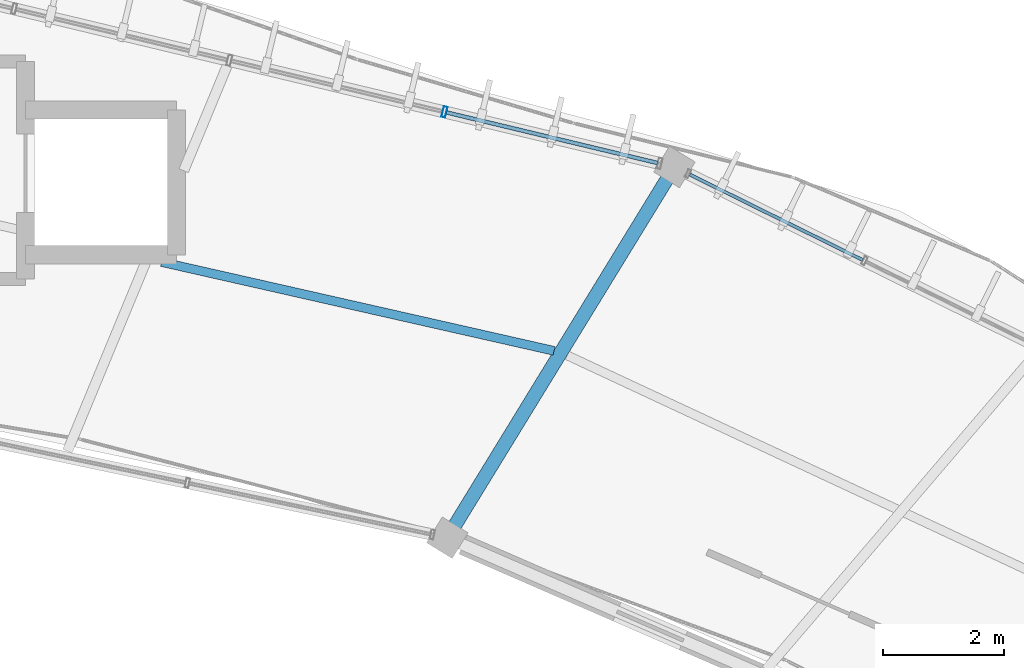
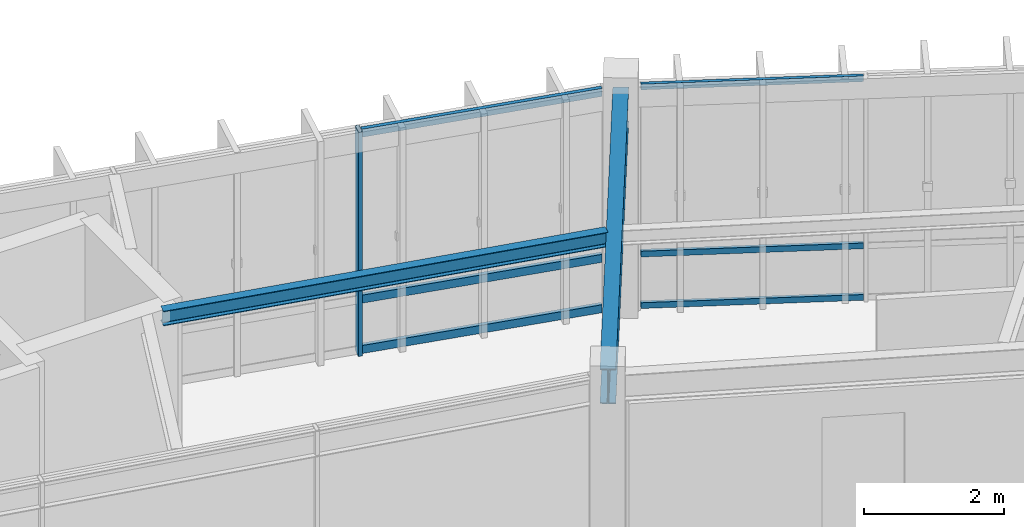
# One storey, part 58 of 78: 7 members, 2 beams, 2 elements without a shape of their own.
"""IFC4 building model written with IfcOpenShell, lengths in metres."""

from ifc_helpers import new_model, si_unit, direction, frame, origin, origin_2d, place, context, subcontext, project, spatial, hollow_rectangle, i_section, extrude, material, material_profile, profile_set, type_object, element, aggregate, save


model = new_model("IFC4")

# Units and contexts
model_context = context("Model", 3, precision=1e-05, world=origin(), true_north=direction((0.0, 1.0)))
body_context = subcontext(model_context, "Body", "Model", "MODEL_VIEW")
ifc_project = project(units=[si_unit("LENGTHUNIT", "METRE"), si_unit("AREAUNIT", "SQUARE_METRE"), si_unit("VOLUMEUNIT", "CUBIC_METRE"), si_unit("PLANEANGLEUNIT", "RADIAN"), si_unit("MASSUNIT", "GRAM", prefix="KILO"), si_unit("THERMODYNAMICTEMPERATUREUNIT", "KELVIN"), si_unit("POWERUNIT", "WATT")], contexts=[model_context])

# Site, building, storey
site_placement = place(None, origin())
site = spatial("IfcSite", under=ifc_project, at=site_placement, CompositionType="ELEMENT")
building_placement = place(site_placement, origin())
building = spatial("IfcBuilding", under=site, at=building_placement, Name="Darbajah Civic Hall", CompositionType="ELEMENT")
storey_placement = place(building_placement, frame((0.0, 0.0, 26.39990234375)))
storey = spatial("IfcBuildingStorey", under=building, at=storey_placement, Name="L06", CompositionType="ELEMENT", Elevation=26.39990234375)

# Curtain wall, member
ifc_material_1 = material(Name="Anodised Bronze Aluminium and Low-E Glazing", Category="aluminium")
curtain_wall_type_1 = type_object("IfcCurtainWallType", Name="Unitised Curtain Wall CW-87 14700x3900", PredefinedType="USERDEFINED", material=ifc_material_1)
curtain_wall_1_placement = place(storey_placement, origin())
curtain_wall_1 = element("IfcCurtainWall", 1, at=curtain_wall_1_placement, inside=storey, type_object=curtain_wall_type_1, Name="L06 unitised curtain wall CW-V1O-L06-03", ObjectType="UNITISED CURTAIN WALL", PredefinedType="USERDEFINED")
ifc_material_2 = material(Name="Anodised Bronze Aluminium", Category="aluminium")
ifc_material_profile_1 = material_profile(ifc_material_2, hollow_rectangle(XDim=0.06494140625, YDim=0.179931640625, WallThickness=0.00390625, at=origin_2d()), Name="ALU MULLION 65x180")
ifc_profile_set_1 = profile_set([ifc_material_profile_1], Name="Anodised Bronze Aluminium")
member_type_1 = type_object("IfcMemberType", Name="ALU MULLION 65x180", PredefinedType="MULLION", material=ifc_profile_set_1)
member_1_placement = place(storey_placement, frame((111.939453125, 115.865234375, 0.0), z_axis=(0.0, 0.0, 1.0), x_axis=(-0.972492018808, 0.232936200179, 0.0)))
member_1 = element("IfcMember", 2, at=member_1_placement, type_object=member_type_1, Name="CW-V1O-L06-03 mullion 2", PredefinedType="MULLION", context=body_context, shape_type="SweptSolid", body=[
    extrude(hollow_rectangle(XDim=0.06494140625, YDim=0.179931640625, WallThickness=0.00390625, at=origin_2d()), origin(), (0.0, 0.0, 1.0), 3.920166015625),
])

# Curtain wall, members
curtain_wall_type_2 = type_object("IfcCurtainWallType", Name="Unitised Curtain Wall CW-79 13000x3900", PredefinedType="USERDEFINED", material=ifc_material_1)
curtain_wall_2_placement = place(storey_placement, origin())
curtain_wall_2 = element("IfcCurtainWall", 3, at=curtain_wall_2_placement, inside=storey, type_object=curtain_wall_type_2, Name="L06 unitised curtain wall CW-V1O-L06-02", ObjectType="UNITISED CURTAIN WALL", PredefinedType="USERDEFINED")
ifc_material_profile_2 = material_profile(ifc_material_2, hollow_rectangle(XDim=0.054931640625, YDim=0.10009765625, WallThickness=0.0029296875, at=origin_2d()), Name="ALU TRANSOM 55x100")
ifc_profile_set_2 = profile_set([ifc_material_profile_2], Name="Anodised Bronze Aluminium")
member_type_2 = type_object("IfcMemberType", Name="ALU TRANSOM 55x100", PredefinedType="USERDEFINED", material=ifc_profile_set_2)
member_2_placement = place(storey_placement, frame((118.864501953125, 113.412841796875, 0.050048828125), z_axis=(-0.896543151923, 0.442956405011, 0.0), x_axis=(-0.442956405011, -0.896543151923, 0.0)))
member_2 = element("IfcMember", 4, at=member_2_placement, type_object=member_type_2, Name="CW-V1O-L06-02 transom 4.1", ObjectType="TRANSOM", PredefinedType="USERDEFINED", context=body_context, shape_type="SweptSolid", body=[
    extrude(hollow_rectangle(XDim=0.054931640625, YDim=0.10009765625, WallThickness=0.0029296875, at=origin_2d()), origin(), (0.0, 0.0, 1.0), 3.1923828125),
])
member_3_placement = place(storey_placement, frame((118.864501953125, 113.412841796875, 0.9501953125), z_axis=(-0.896543151923, 0.442956405011, 0.0), x_axis=(-0.442956405011, -0.896543151923, 0.0)))
member_3 = element("IfcMember", 5, at=member_3_placement, type_object=member_type_2, Name="CW-V1O-L06-02 transom 4.2", ObjectType="TRANSOM", PredefinedType="USERDEFINED", context=body_context, shape_type="SweptSolid", body=[
    extrude(hollow_rectangle(XDim=0.054931640625, YDim=0.10009765625, WallThickness=0.0029296875, at=origin_2d()), origin(), (0.0, 0.0, 1.0), 3.1923828125),
])
member_4_placement = place(storey_placement, frame((118.864501953125, 113.412841796875, 3.8701171875), z_axis=(-0.896543151923, 0.442956405011, 0.0), x_axis=(-0.442956405011, -0.896543151923, 0.0)))
member_4 = element("IfcMember", 6, at=member_4_placement, type_object=member_type_2, Name="CW-V1O-L06-02 transom 4.3", ObjectType="TRANSOM", PredefinedType="USERDEFINED", context=body_context, shape_type="SweptSolid", body=[
    extrude(hollow_rectangle(XDim=0.054931640625, YDim=0.10009765625, WallThickness=0.0029296875, at=origin_2d()), origin(), (0.0, 0.0, 1.0), 3.1923828125),
])
aggregate(curtain_wall_2, [member_2, member_3, member_4])

# Member
ifc_material_profile_3 = material_profile(ifc_material_2, hollow_rectangle(XDim=0.06494140625, YDim=0.139892578125, WallThickness=0.00341796875, at=origin_2d()), Name="ALU TRANSOM 65x140")
ifc_profile_set_3 = profile_set([ifc_material_profile_3], Name="Anodised Bronze Aluminium")
member_type_3 = type_object("IfcMemberType", Name="ALU TRANSOM 65x140", PredefinedType="USERDEFINED", material=ifc_profile_set_3)
member_5_placement = place(storey_placement, frame((115.4658203125, 115.020263671875, 0.070068359375), z_axis=(-0.97247676954, 0.232999855591, 0.0), x_axis=(-0.232999855591, -0.97247676954, 0.0)))
member_5 = element("IfcMember", 7, at=member_5_placement, type_object=member_type_3, Name="CW-V1O-L06-03 transom 1.1", ObjectType="TRANSOM", PredefinedType="USERDEFINED", context=body_context, shape_type="SweptSolid", body=[
    extrude(hollow_rectangle(XDim=0.06494140625, YDim=0.139892578125, WallThickness=0.00341796875, at=origin_2d()), origin(), (0.0, 0.0, 1.0), 3.5888671875),
])

member_6_placement = place(storey_placement, frame((115.4658203125, 115.020263671875, 0.9501953125), z_axis=(-0.97247676954, 0.232999855591, 0.0), x_axis=(-0.232999855591, -0.97247676954, 0.0)))
member_6 = element("IfcMember", 8, at=member_6_placement, type_object=member_type_3, Name="CW-V1O-L06-03 transom 1.2", ObjectType="TRANSOM", PredefinedType="USERDEFINED", context=body_context, shape_type="SweptSolid", body=[
    extrude(hollow_rectangle(XDim=0.06494140625, YDim=0.139892578125, WallThickness=0.00341796875, at=origin_2d()), origin(), (0.0, 0.0, 1.0), 3.5888671875),
])

member_7_placement = place(storey_placement, frame((115.4658203125, 115.020263671875, 3.85009765625), z_axis=(-0.97247676954, 0.232999855591, 0.0), x_axis=(-0.232999855591, -0.97247676954, 0.0)))
member_7 = element("IfcMember", 9, at=member_7_placement, type_object=member_type_3, Name="CW-V1O-L06-03 transom 1.3", ObjectType="TRANSOM", PredefinedType="USERDEFINED", context=body_context, shape_type="SweptSolid", body=[
    extrude(hollow_rectangle(XDim=0.06494140625, YDim=0.139892578125, WallThickness=0.00341796875, at=origin_2d()), origin(), (0.0, 0.0, 1.0), 3.5888671875),
])

aggregate(curtain_wall_1, [member_1, member_5, member_6, member_7])

# Beams
ifc_material_3 = material(Name="Steel S355JR", Category="steel")
ifc_material_profile_4 = material_profile(ifc_material_3, i_section(OverallWidth=0.146484375, OverallDepth=0.256103515625, WebThickness=0.00634765625, FlangeThickness=0.010986328125, FilletRadius=0.007568359375, at=origin_2d()), Name="UB 254x146x37")
ifc_profile_set_4 = profile_set([ifc_material_profile_4], Name="Steel S355JR")
beam_type_1 = type_object("IfcBeamType", Name="UB 254x146x37", PredefinedType="JOIST", material=ifc_profile_set_4)
beam_1_placement = place(storey_placement, frame((113.75341796875, 111.908935546875, 3.7919921875), z_axis=(-0.975333988731, 0.220734252953, 0.0), x_axis=(-0.220734252953, -0.975333988731, 0.0)))
element("IfcBeam", 10, at=beam_1_placement, inside=storey, type_object=beam_type_1, Name="L06 beam SJ-254", PredefinedType="JOIST", context=body_context, shape_type="SweptSolid", body=[
    extrude(i_section(OverallWidth=0.146484375, OverallDepth=0.256103515625, WebThickness=0.00634765625, FlangeThickness=0.010986328125, FilletRadius=0.007568359375, at=origin_2d()), origin(), (0.0, 0.0, 1.0), 6.663818359375),
])
ifc_material_profile_5 = material_profile(ifc_material_3, i_section(OverallWidth=0.228271484375, OverallDepth=0.607666015625, WebThickness=0.010986328125, FlangeThickness=0.017333984375, FilletRadius=0.0126953125, at=origin_2d()), Name="UB 610x229x113")
ifc_profile_set_5 = profile_set([ifc_material_profile_5], Name="Steel S355JR")
beam_type_2 = type_object("IfcBeamType", Name="UB 610x229x113", PredefinedType="BEAM", material=ifc_profile_set_5)
beam_2_placement = place(storey_placement, frame((112.027099609375, 108.882080078125, 3.6162109375), z_axis=(0.522500254411, 0.852639128905, 0.0), x_axis=(-0.852639128905, 0.522500254411, 0.0)))
element("IfcBeam", 11, at=beam_2_placement, inside=storey, type_object=beam_type_2, Name="L06 beam SB-610", PredefinedType="BEAM", context=body_context, shape_type="SweptSolid", body=[
    extrude(i_section(OverallWidth=0.228271484375, OverallDepth=0.607666015625, WebThickness=0.010986328125, FlangeThickness=0.017333984375, FilletRadius=0.0126953125, at=origin_2d()), origin(), (0.0, 0.0, 1.0), 7.0400390625),
])

save(model, "model.ifc")
